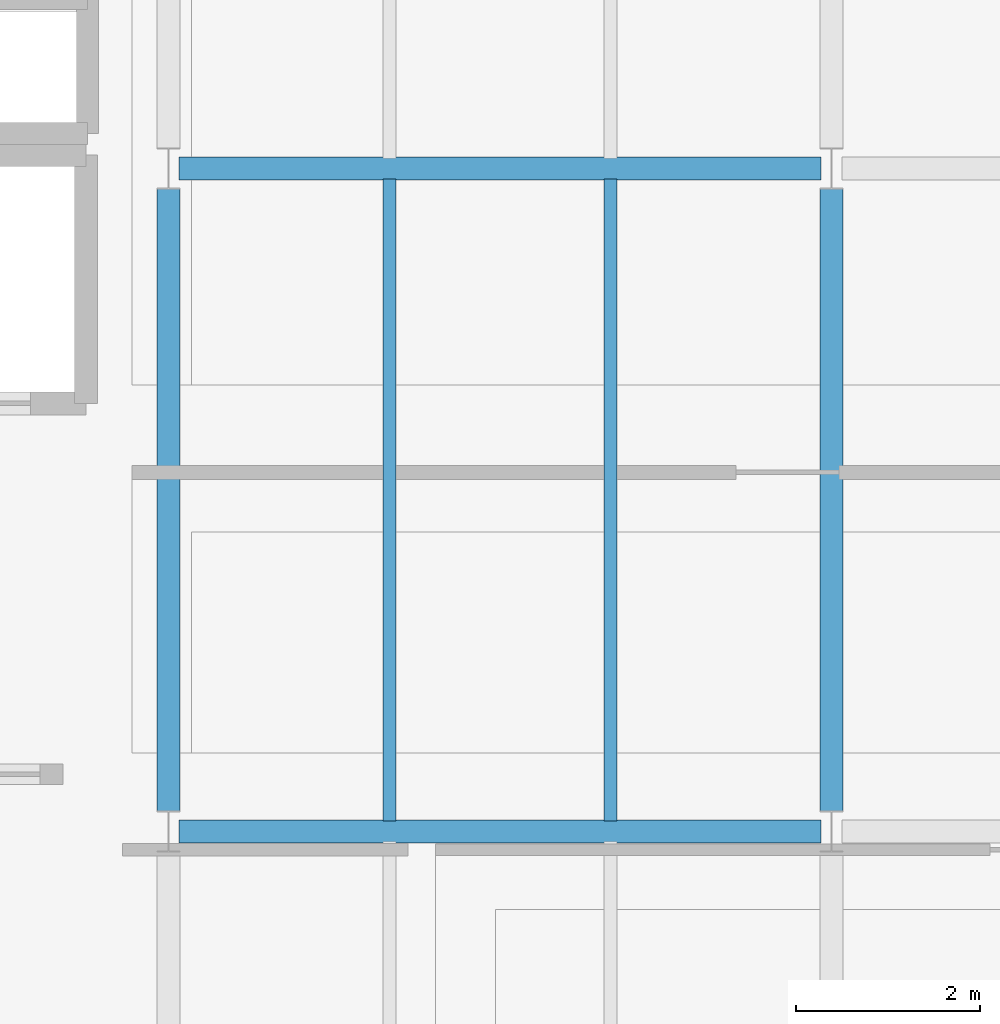
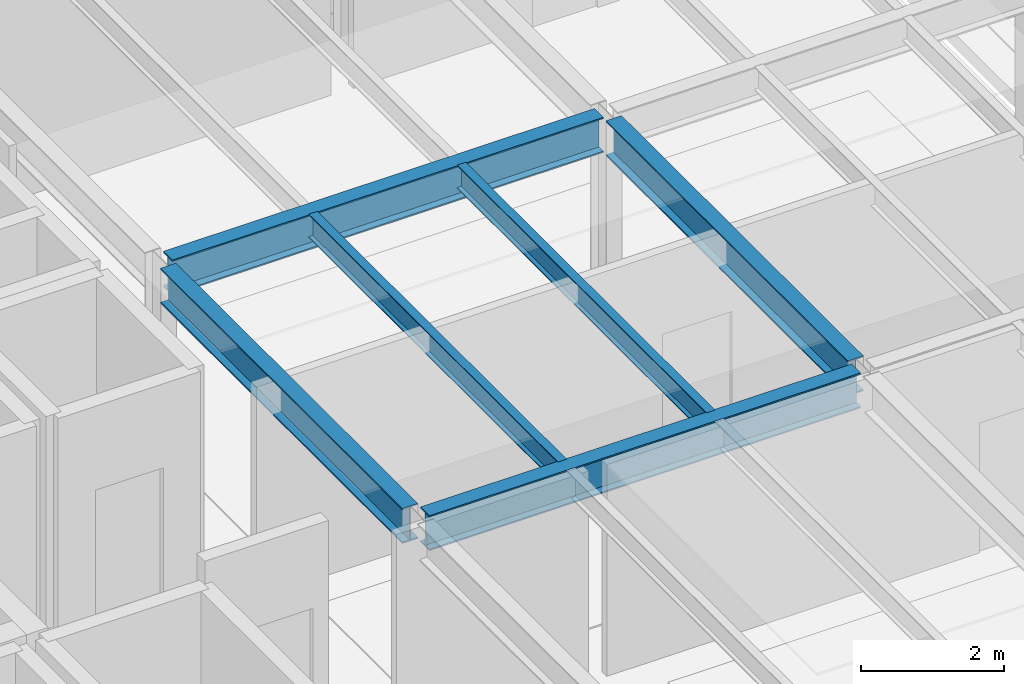
# One storey, part 8 of 48: 6 beams.
"""IFC4 building model written with IfcOpenShell, lengths in metres."""

from ifc_helpers import new_model, si_unit, direction, frame, origin, origin_2d, place, context, subcontext, project, spatial, i_section, extrude, material, material_profile, profile_set, type_object, element, save


model = new_model("IFC4")

# Units and contexts
model_context = context("Model", 3, precision=1e-05, world=origin(), true_north=direction((0.0, 1.0)))
body_context = subcontext(model_context, "Body", "Model", "MODEL_VIEW")
ifc_project = project(units=[si_unit("LENGTHUNIT", "METRE"), si_unit("AREAUNIT", "SQUARE_METRE"), si_unit("VOLUMEUNIT", "CUBIC_METRE"), si_unit("PLANEANGLEUNIT", "RADIAN"), si_unit("MASSUNIT", "GRAM", prefix="KILO")], contexts=[model_context])

# Site, building, storey
site_placement = place(None, origin())
site = spatial("IfcSite", under=ifc_project, at=site_placement, CompositionType="ELEMENT")
building_placement = place(site_placement, origin())
building = spatial("IfcBuilding", under=site, at=building_placement, Name="Kandorven Conservatory and Botanical Research Centre", CompositionType="ELEMENT")
storey_placement = place(building_placement, frame((0.0, 0.0, 13.199951171875)))
storey = spatial("IfcBuildingStorey", under=building, at=storey_placement, Name="L03", CompositionType="ELEMENT", Elevation=13.199951171875)

# Beams
ifc_material_1 = material(Name="Steel S355 (IS 2062 E350)", Category="steel")
ifc_material_profile_1 = material_profile(ifc_material_1, i_section(OverallWidth=0.25, OverallDepth=0.60009765625, WebThickness=0.01171875, FlangeThickness=0.023681640625, at=origin_2d()))
ifc_profile_set_1 = profile_set([ifc_material_profile_1], Name="Steel S355 (IS 2062 E350)")
beam_type_1 = type_object("IfcBeamType", Name="Beam_FG-01", PredefinedType="USERDEFINED", material=ifc_profile_set_1)
for number, where, z_axis, x_axis, name in (
    (1, (27.715087890625, 13.199951171875, 3.3349609375), (1.0, 0.0, 0.0), (0.0, 1.0, 0.0), "Primary girder FG-01 TWR L03"),
    (2, (27.715087890625, 20.39990234375, 3.3349609375), (1.0, 0.0, 0.0), (0.0, 1.0, 0.0), "Primary girder FG-01 TWR L03"),
):
    element("IfcBeam", number, at=place(storey_placement, frame(where, z_axis=z_axis, x_axis=x_axis)), inside=storey, type_object=beam_type_1, Name=name, ObjectType="GIRDER", PredefinedType="USERDEFINED", context=body_context, shape_type="SweptSolid", body=[
        extrude(i_section(OverallWidth=0.25, OverallDepth=0.60009765625, WebThickness=0.01171875, FlangeThickness=0.023681640625, at=origin_2d()), origin(), (0.0, 0.0, 1.0), 6.969970703125),
    ])
for number, where, z_axis, x_axis, name in (
    (3, (27.60009765625, 13.4150390625, 3.3349609375), (0.0, 1.0, 0.0), (-1.0, 0.0, 0.0), "Primary girder FG-01 TWR L03"),
    (4, (34.800048828125, 13.4150390625, 3.3349609375), (0.0, 1.0, 0.0), (-1.0, 0.0, 0.0), "Primary girder FG-01 TWR L03"),
):
    element("IfcBeam", number, at=place(storey_placement, frame(where, z_axis=z_axis, x_axis=x_axis)), inside=storey, type_object=beam_type_1, Name=name, ObjectType="GIRDER", PredefinedType="USERDEFINED", context=body_context, shape_type="SweptSolid", body=[
        extrude(i_section(OverallWidth=0.25, OverallDepth=0.60009765625, WebThickness=0.01171875, FlangeThickness=0.023681640625, at=origin_2d()), origin(), (0.0, 0.0, 1.0), 6.77001953125),
    ])
ifc_material_2 = material(Name="Steel S355 (IS 2062 E350)", Category="steel")
ifc_material_profile_2 = material_profile(ifc_material_2, i_section(OverallWidth=0.139892578125, OverallDepth=0.39990234375, WebThickness=0.0087890625, FlangeThickness=0.01611328125, at=origin_2d()))
ifc_profile_set_2 = profile_set([ifc_material_profile_2], Name="Steel S355 (IS 2062 E350)")
beam_type_2 = type_object("IfcBeamType", Name="Beam_SB-05", PredefinedType="BEAM", material=ifc_profile_set_2)
for number, where, z_axis, x_axis, name in (
    (5, (30.0, 13.31005859375, 3.43505859375), (0.0, 1.0, 0.0), (-1.0, 0.0, 0.0), "Composite secondary beam SB-05 TWR L03"),
    (6, (32.39990234375, 13.31005859375, 3.43505859375), (0.0, 1.0, 0.0), (-1.0, 0.0, 0.0), "Composite secondary beam SB-05 TWR L03"),
):
    element("IfcBeam", number, at=place(storey_placement, frame(where, z_axis=z_axis, x_axis=x_axis)), inside=storey, type_object=beam_type_2, Name=name, PredefinedType="BEAM", context=body_context, shape_type="SweptSolid", body=[
        extrude(i_section(OverallWidth=0.139892578125, OverallDepth=0.39990234375, WebThickness=0.0087890625, FlangeThickness=0.01611328125, at=origin_2d()), origin(), (0.0, 0.0, 1.0), 6.97998046875),
    ])

save(model, "model.ifc")
